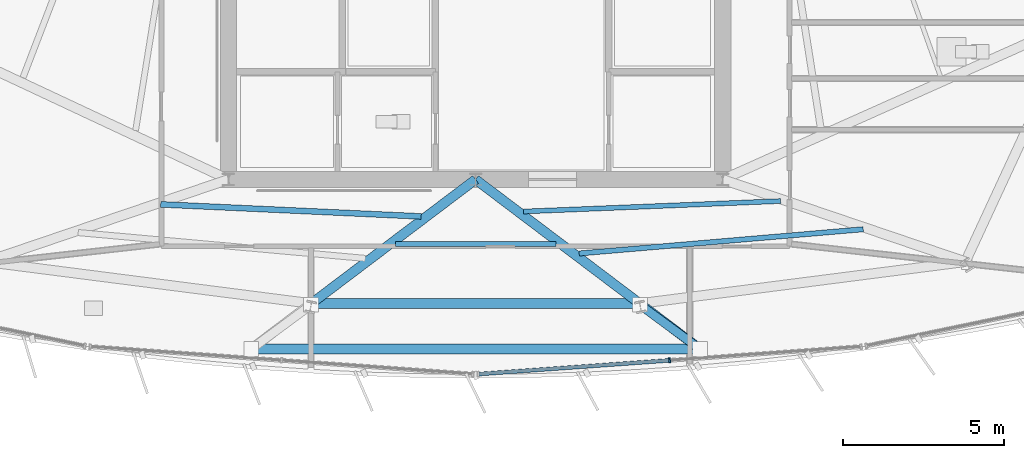
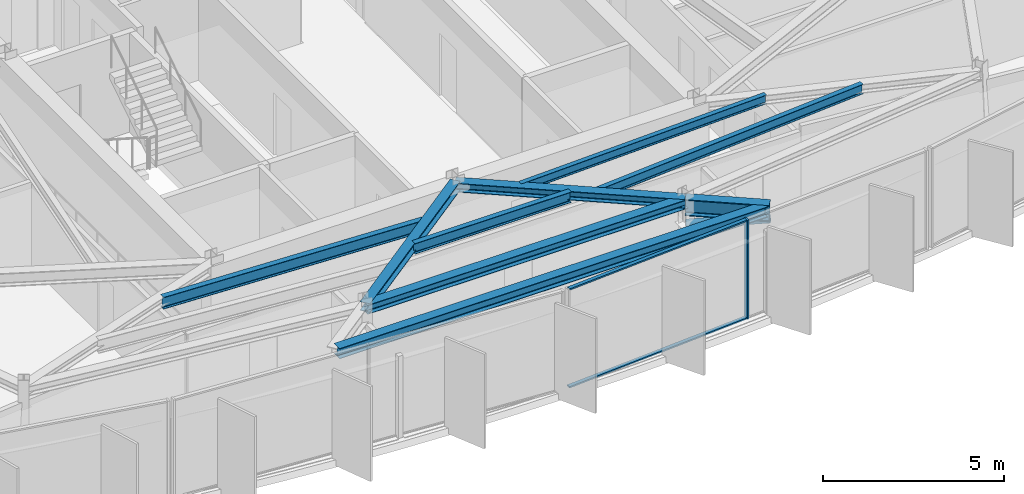
# One storey, part 3 of 12: 9 beams, 4 members, 1 element without a shape of its own.
"""IFC4 building model written with IfcOpenShell, lengths in metres."""

from ifc_helpers import new_model, si_unit, direction, frame, origin, origin_2d, place, context, subcontext, project, spatial, rectangle, hollow_circle, i_section, extrude, material, material_profile, profile_set, type_object, element, aggregate, save


model = new_model("IFC4")

# Units and contexts
model_context = context("Model", 3, precision=1e-05, world=origin(), true_north=direction((0.0, 1.0)))
body_context = subcontext(model_context, "Body", "Model", "MODEL_VIEW")
ifc_project = project(units=[si_unit("LENGTHUNIT", "METRE"), si_unit("AREAUNIT", "SQUARE_METRE"), si_unit("VOLUMEUNIT", "CUBIC_METRE"), si_unit("PLANEANGLEUNIT", "RADIAN"), si_unit("MASSUNIT", "GRAM", prefix="KILO")], contexts=[model_context])

# Site, building, storey
site_placement = place(None, origin())
site = spatial("IfcSite", under=ifc_project, at=site_placement, CompositionType="ELEMENT")
building_placement = place(site_placement, origin())
building = spatial("IfcBuilding", under=site, at=building_placement, Name="Savorim Split Tower", CompositionType="ELEMENT")
storey_placement = place(building_placement, frame((0.0, 0.0, 279.60009765625)))
storey = spatial("IfcBuildingStorey", under=building, at=storey_placement, Name="L74", CompositionType="ELEMENT", Elevation=279.60009765625)

# Beams
ifc_material_1 = material(Name="Steel S355", Category="steel")
ifc_material_profile_1 = material_profile(ifc_material_1, i_section(OverallWidth=0.14990234375, OverallDepth=0.300048828125, WebThickness=0.007080078125, FlangeThickness=0.0107421875, FilletRadius=0.014892578125, at=origin_2d()), Name="IPE 300")
ifc_profile_set_1 = profile_set([ifc_material_profile_1], Name="Steel S355")
beam_type_1 = type_object("IfcBeamType", Name="BM-JST-IPE300", PredefinedType="JOIST", material=ifc_profile_set_1)
beam_1_placement = place(storey_placement, frame((1.489501953125, -10.3984375, 3.199951171875), z_axis=(0.999175678135, 0.040595125621, 0.0), x_axis=(-0.040595125621, 0.999175678135, 0.0)))
element("IfcBeam", 1, at=beam_1_placement, inside=storey, type_object=beam_type_1, Name="L74 Secondary Floor Joist JS-05", PredefinedType="JOIST", context=body_context, shape_type="SweptSolid", body=[
    extrude(i_section(OverallWidth=0.14990234375, OverallDepth=0.300048828125, WebThickness=0.007080078125, FlangeThickness=0.0107421875, FilletRadius=0.014892578125, at=origin_2d()), origin(), (0.0, 0.0, 1.0), 8.022705078125),
])
ifc_material_profile_2 = material_profile(ifc_material_1, i_section(OverallWidth=0.159912109375, OverallDepth=0.330078125, WebThickness=0.007568359375, FlangeThickness=0.011474609375, FilletRadius=0.01806640625, at=origin_2d()), Name="IPE 330")
ifc_profile_set_2 = profile_set([ifc_material_profile_2], Name="Steel S355")
beam_type_2 = type_object("IfcBeamType", Name="BM-JST-IPE330", PredefinedType="JOIST", material=ifc_profile_set_2)
beam_2_placement = place(storey_placement, frame((3.227783203125, -11.705322265625, 3.184814453125), z_axis=(0.996387571298, 0.084922363153, 0.0), x_axis=(-0.084922363153, 0.996387571298, 0.0)))
element("IfcBeam", 2, at=beam_2_placement, inside=storey, type_object=beam_type_2, Name="L74 Secondary Floor Joist JS-04", PredefinedType="JOIST", context=body_context, shape_type="SweptSolid", body=[
    extrude(i_section(OverallWidth=0.159912109375, OverallDepth=0.330078125, WebThickness=0.007568359375, FlangeThickness=0.011474609375, FilletRadius=0.01806640625, at=origin_2d()), origin(), (0.0, 0.0, 1.0), 8.88037109375),
])
ifc_material_profile_3 = material_profile(ifc_material_1, i_section(OverallWidth=0.169921875, OverallDepth=0.360107421875, WebThickness=0.008056640625, FlangeThickness=0.0126953125, FilletRadius=0.01806640625, at=origin_2d()), Name="IPE 360")
ifc_profile_set_3 = profile_set([ifc_material_profile_3], Name="Steel S355")
beam_type_3 = type_object("IfcBeamType", Name="BM-JST-IPE360", PredefinedType="JOIST", material=ifc_profile_set_3)
beam_3_placement = place(storey_placement, frame((-2.49951171875, -11.409912109375, 3.169921875), z_axis=(1.0, 0.0, 0.0), x_axis=(0.0, 1.0, 0.0)))
element("IfcBeam", 3, at=beam_3_placement, inside=storey, type_object=beam_type_3, Name="L74 Secondary Floor Joist JS-03", PredefinedType="JOIST", context=body_context, shape_type="SweptSolid", body=[
    extrude(i_section(OverallWidth=0.169921875, OverallDepth=0.360107421875, WebThickness=0.008056640625, FlangeThickness=0.0126953125, FilletRadius=0.01806640625, at=origin_2d()), origin(), (0.0, 0.0, 1.0), 4.9990234375),
])
ifc_material_profile_4 = material_profile(ifc_material_1, i_section(OverallWidth=0.179931640625, OverallDepth=0.39990234375, WebThickness=0.008544921875, FlangeThickness=0.013427734375, FilletRadius=0.02099609375, at=origin_2d()), Name="IPE 400")
ifc_profile_set_4 = profile_set([ifc_material_profile_4], Name="Steel S355")
beam_type_4 = type_object("IfcBeamType", Name="BM-JST-IPE400", PredefinedType="JOIST", material=ifc_profile_set_4)
beam_4_placement = place(storey_placement, frame((-9.80810546875, -10.17626953125, 3.14990234375), z_axis=(0.998929570376, -0.046257036522, 0.0), x_axis=(0.046257036522, 0.998929570376, 0.0)))
element("IfcBeam", 4, at=beam_4_placement, inside=storey, type_object=beam_type_4, Name="L74 Secondary Floor Joist JS-02", PredefinedType="JOIST", context=body_context, shape_type="SweptSolid", body=[
    extrude(i_section(OverallWidth=0.179931640625, OverallDepth=0.39990234375, WebThickness=0.008544921875, FlangeThickness=0.013427734375, FilletRadius=0.02099609375, at=origin_2d()), origin(), (0.0, 0.0, 1.0), 8.122802734375),
])
ifc_material_profile_5 = material_profile(ifc_material_1, i_section(OverallWidth=0.300048828125, OverallDepth=0.300048828125, WebThickness=0.010986328125, FlangeThickness=0.01904296875, FilletRadius=0.027099609375, at=origin_2d()), Name="HEB 300")
ifc_profile_set_5 = profile_set([ifc_material_profile_5], Name="Steel S355")
beam_type_5 = type_object("IfcBeamType", Name="BM-PRI-HEB300", PredefinedType="BEAM", material=ifc_profile_set_5)
for number, where, z_axis, x_axis, name in (
    (5, (-5.1142578125, -13.264892578125, 3.199951171875), (0.797800966963, 0.602920904525, 0.0), (-0.602920904525, 0.797800966963, 0.0), "L74 Primary Floor Girder RG-02"),
    (6, (5.1142578125, -13.264892578125, 3.199951171875), (-0.797800966963, 0.602920904525, 0.0), (-0.602920904525, -0.797800966963, 0.0), "L74 Primary Floor Girder RG-03"),
):
    element("IfcBeam", number, at=place(storey_placement, frame(where, z_axis=z_axis, x_axis=x_axis)), inside=storey, type_object=beam_type_5, Name=name, PredefinedType="BEAM", context=body_context, shape_type="SweptSolid", body=[
        extrude(i_section(OverallWidth=0.300048828125, OverallDepth=0.300048828125, WebThickness=0.010986328125, FlangeThickness=0.01904296875, FilletRadius=0.027099609375, at=origin_2d()), origin(), (0.0, 0.0, 1.0), 6.410400390625),
    ])
ifc_material_profile_6 = material_profile(ifc_material_1, i_section(OverallWidth=0.300048828125, OverallDepth=0.550048828125, WebThickness=0.014892578125, FlangeThickness=0.029052734375, FilletRadius=0.027099609375, at=origin_2d()), Name="HEB 550")
ifc_profile_set_6 = profile_set([ifc_material_profile_6], Name="Steel S355")
beam_type_6 = type_object("IfcBeamType", Name="BM-PRI-HEB550", PredefinedType="BEAM", material=ifc_profile_set_6)
beam_5_placement = place(storey_placement, frame((5.1142578125, -13.264892578125, 3.074951171875), z_axis=(0.797762933165, -0.602971228557, 0.0), x_axis=(0.602971228557, 0.797762933165, 0.0)))
element("IfcBeam", 7, at=beam_5_placement, inside=storey, type_object=beam_type_6, Name="L74 Cantilevered Lounge Rib 2", PredefinedType="BEAM", context=body_context, shape_type="SweptSolid", body=[
    extrude(i_section(OverallWidth=0.300048828125, OverallDepth=0.550048828125, WebThickness=0.014892578125, FlangeThickness=0.029052734375, FilletRadius=0.027099609375, at=origin_2d()), origin(), (0.0, 0.0, 1.0), 2.35009765625),
])
ifc_material_profile_7 = material_profile(ifc_material_1, i_section(OverallWidth=0.300048828125, OverallDepth=0.31005859375, WebThickness=0.009033203125, FlangeThickness=0.015380859375, FilletRadius=0.027099609375, at=origin_2d()), Name="HEA 320")
ifc_profile_set_7 = profile_set([ifc_material_profile_7], Name="Steel S355")
beam_type_7 = type_object("IfcBeamType", Name="BM-SPN-HEA320", PredefinedType="SPANDREL", material=ifc_profile_set_7)
beam_6_placement = place(storey_placement, frame((-5.1142578125, -13.264892578125, 3.19482421875), z_axis=(1.0, 0.0, 0.0), x_axis=(0.0, 1.0, 0.0)))
element("IfcBeam", 8, at=beam_6_placement, inside=storey, type_object=beam_type_7, Name="L74 Perimeter Spandrel Beam 2", PredefinedType="SPANDREL", context=body_context, shape_type="SweptSolid", body=[
    extrude(i_section(OverallWidth=0.300048828125, OverallDepth=0.31005859375, WebThickness=0.009033203125, FlangeThickness=0.015380859375, FilletRadius=0.027099609375, at=origin_2d()), origin(), (0.0, 0.0, 1.0), 10.228515625),
])
ifc_material_profile_8 = material_profile(ifc_material_1, i_section(OverallWidth=0.300048828125, OverallDepth=0.35009765625, WebThickness=0.010009765625, FlangeThickness=0.017578125, FilletRadius=0.027099609375, at=origin_2d()), Name="HEA 360")
ifc_profile_set_8 = profile_set([ifc_material_profile_8], Name="Steel S355")
beam_type_8 = type_object("IfcBeamType", Name="BM-SPN-HEA360", PredefinedType="SPANDREL", material=ifc_profile_set_8)
beam_7_placement = place(storey_placement, frame((-6.8291015625, -14.681884765625, 3.1748046875), z_axis=(1.0, 0.0, 0.0), x_axis=(0.0, 1.0, 0.0)))
element("IfcBeam", 9, at=beam_7_placement, inside=storey, type_object=beam_type_8, Name="L74 Cantilevered Lounge Front Edge Beam", PredefinedType="SPANDREL", context=body_context, shape_type="SweptSolid", body=[
    extrude(i_section(OverallWidth=0.300048828125, OverallDepth=0.35009765625, WebThickness=0.010009765625, FlangeThickness=0.017578125, FilletRadius=0.027099609375, at=origin_2d()), origin(), (0.0, 0.0, 1.0), 13.658203125),
])

# Curtain wall, members
ifc_material_2 = material(Name="Dark Ceramic-Fritted Insulated Glass", Category="glass")
curtain_wall_type = type_object("IfcCurtainWallType", Name="CW-TWR-FRIT-B", PredefinedType="NOTDEFINED", material=ifc_material_2)
curtain_wall_placement = place(storey_placement, origin())
curtain_wall = element("IfcCurtainWall", 10, at=curtain_wall_placement, inside=storey, type_object=curtain_wall_type, Name="L74 Curtain Wall CW-L74-SF3", PredefinedType="NOTDEFINED")
ifc_material_3 = material(Name="Charcoal Anodised Aluminium", Category="aluminium")
ifc_material_profile_9 = material_profile(ifc_material_3, rectangle(XDim=0.159912109375, YDim=0.06005859375, at=origin_2d()), Name="ALU-M 160x60")
ifc_profile_set_9 = profile_set([ifc_material_profile_9], Name="Charcoal Anodised Aluminium")
member_type_1 = type_object("IfcMemberType", Name="CWM-160x60", PredefinedType="MULLION", material=ifc_profile_set_9)
member_1_placement = place(storey_placement, frame((6.044189453125, -15.03515625, 0.0), z_axis=(0.0, 0.0, 1.0), x_axis=(-0.071558116795, 0.99743643202, 0.0)))
member_1 = element("IfcMember", 11, at=member_1_placement, type_object=member_type_1, Name="CW-03 mullion 2", PredefinedType="MULLION", context=body_context, shape_type="SweptSolid", body=[
    extrude(rectangle(XDim=0.159912109375, YDim=0.06005859375, at=origin_2d()), origin(), (0.0, 0.0, 1.0), 3.349853515625),
])
ifc_material_profile_10 = material_profile(ifc_material_3, rectangle(XDim=0.1201171875, YDim=0.050048828125, at=origin_2d()), Name="ALU-T 120x50")
ifc_profile_set_10 = profile_set([ifc_material_profile_10], Name="Charcoal Anodised Aluminium")
member_type_2 = type_object("IfcMemberType", Name="CWT-120x50", PredefinedType="USERDEFINED", material=ifc_profile_set_10)
member_2_placement = place(storey_placement, frame((0.111083984375, -15.460693359375, 0.02490234375), z_axis=(0.997435614466, 0.071569511625, 0.0), x_axis=(-0.071569511625, 0.997435614466, 0.0)))
member_2 = element("IfcMember", 12, at=member_2_placement, type_object=member_type_2, Name="CW-03 transom 1.1", ObjectType="TRANSOM", PredefinedType="USERDEFINED", context=body_context, shape_type="SweptSolid", body=[
    extrude(rectangle(XDim=0.1201171875, YDim=0.050048828125, at=origin_2d()), origin(), (0.0, 0.0, 1.0), 5.91845703125),
])
member_3_placement = place(storey_placement, frame((0.111083984375, -15.460693359375, 3.324951171875), z_axis=(0.997435614466, 0.071569511625, 0.0), x_axis=(-0.071569511625, 0.997435614466, 0.0)))
member_3 = element("IfcMember", 13, at=member_3_placement, type_object=member_type_2, Name="CW-03 transom 1.2", ObjectType="TRANSOM", PredefinedType="USERDEFINED", context=body_context, shape_type="SweptSolid", body=[
    extrude(rectangle(XDim=0.1201171875, YDim=0.050048828125, at=origin_2d()), origin(), (0.0, 0.0, 1.0), 5.91845703125),
])
aggregate(curtain_wall, [member_1, member_2, member_3])

# Member
ifc_material_profile_11 = material_profile(ifc_material_1, hollow_circle(Radius=0.136474609375, WallThickness=0.01611328125, at=origin_2d()), Name="CHS 273x16")
ifc_profile_set_11 = profile_set([ifc_material_profile_11], Name="Steel S355")
member_type_3 = type_object("IfcMemberType", Name="MBR-CRN-CHS273", PredefinedType="BRACE", material=ifc_profile_set_11)
member_4_placement = place(storey_placement, frame((5.1220703125, -13.305419921875, 2.449951171875), z_axis=(0.794844273098, -0.586024847879, 0.157472090198), x_axis=(0.593428799019, 0.804886489199, 0.0)))
element("IfcMember", 14, at=member_4_placement, inside=storey, type_object=member_type_3, Name="L74 Cantilevered Bay Support Strut 2", PredefinedType="BRACE", context=body_context, shape_type="SweptSolid", body=[
    extrude(hollow_circle(Radius=0.136474609375, WallThickness=0.01611328125, at=origin_2d()), origin(), (0.0, 0.0, 1.0), 2.348876953125),
])

save(model, "model.ifc")
